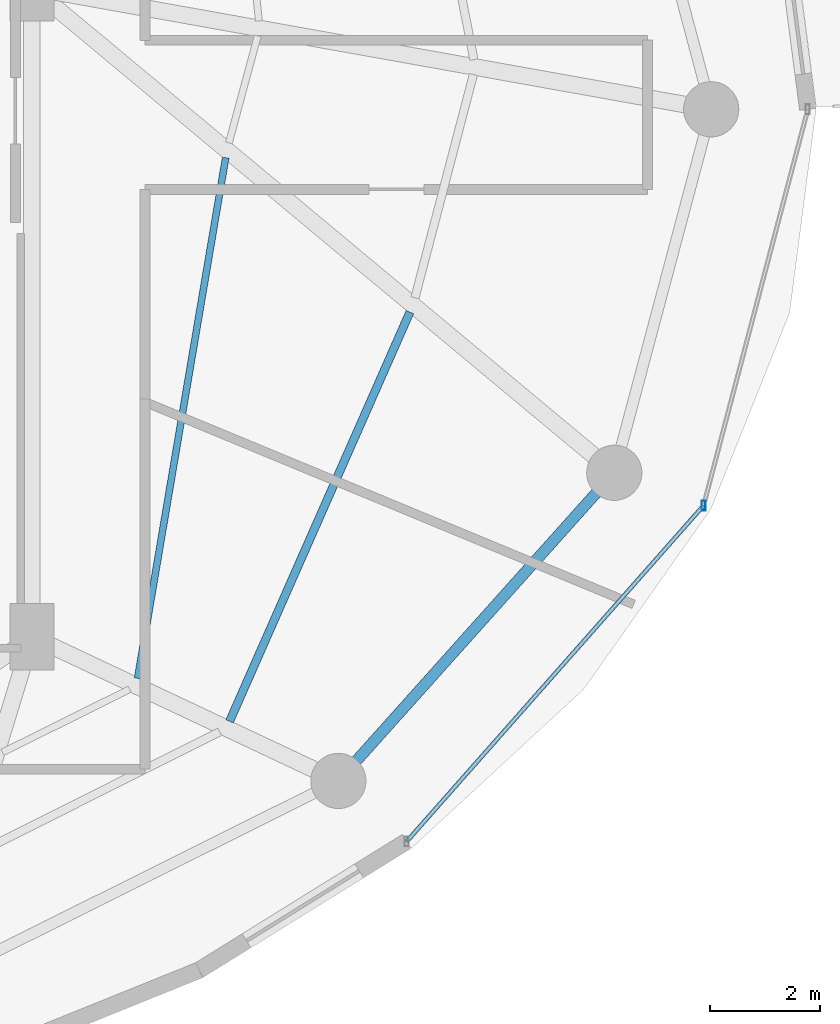
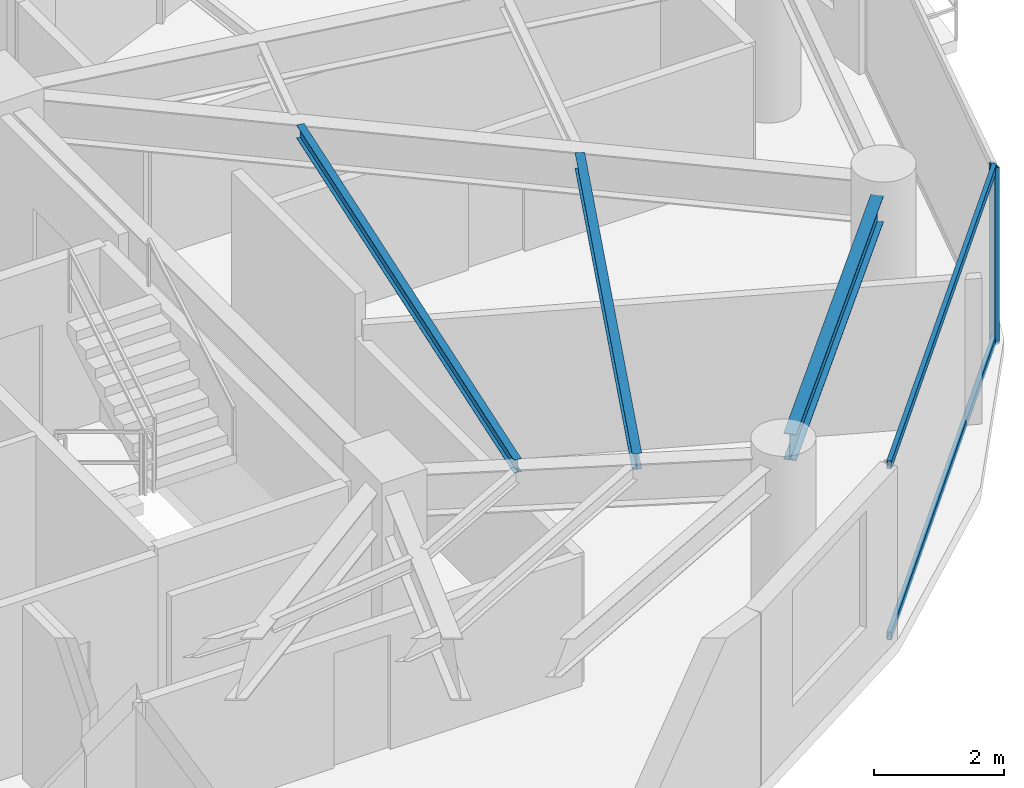
# One storey, part 11 of 28: 3 beams, 3 members, 1 element without a shape of its own.
"""IFC4 building model written with IfcOpenShell, lengths in metres."""

from ifc_helpers import new_model, si_unit, direction, frame, origin, origin_2d, place, context, subcontext, project, spatial, hollow_rectangle, i_section, extrude, material, material_profile, profile_set, type_object, element, aggregate, save


model = new_model("IFC4")

# Units and contexts
model_context = context("Model", 3, precision=1e-05, world=origin(), true_north=direction((0.0, 1.0)))
body_context = subcontext(model_context, "Body", "Model", "MODEL_VIEW")
ifc_project = project(units=[si_unit("LENGTHUNIT", "METRE"), si_unit("AREAUNIT", "SQUARE_METRE"), si_unit("VOLUMEUNIT", "CUBIC_METRE"), si_unit("PLANEANGLEUNIT", "RADIAN"), si_unit("MASSUNIT", "GRAM", prefix="KILO")], contexts=[model_context])

# Site, building, storey
site_placement = place(None, origin())
site = spatial("IfcSite", under=ifc_project, at=site_placement, CompositionType="ELEMENT")
building_placement = place(site_placement, origin())
building = spatial("IfcBuilding", under=site, at=building_placement, Name="Vorneva Point Tower", CompositionType="ELEMENT")
storey_placement = place(building_placement, frame((0.0, 0.0, 139.60009765625)))
storey = spatial("IfcBuildingStorey", under=building, at=storey_placement, Name="L37", CompositionType="ELEMENT", Elevation=139.60009765625)

# Beams
ifc_material_1 = material(Name="Steel S355", Category="steel")
ifc_material_profile_1 = material_profile(ifc_material_1, i_section(OverallWidth=0.1240234375, OverallDepth=0.248046875, WebThickness=0.0048828125, FlangeThickness=0.008056640625, at=origin_2d()), Name="25B1")
ifc_profile_set_1 = profile_set([ifc_material_profile_1], Name="Steel S355")
beam_type_1 = type_object("IfcBeamType", Name="BM-JST-25B1", PredefinedType="JOIST", material=ifc_profile_set_1)
beam_1_placement = place(storey_placement, frame((50.66455078125, 15.695556640625, 3.115966796875), z_axis=(0.166688356069, 0.98600963076, 0.0), x_axis=(-0.98600963076, 0.166688356069, 0.0)))
element("IfcBeam", 1, at=beam_1_placement, inside=storey, type_object=beam_type_1, Name="L37 Secondary Floor Beam 2.15", PredefinedType="JOIST", context=body_context, shape_type="SweptSolid", body=[
    extrude(i_section(OverallWidth=0.1240234375, OverallDepth=0.248046875, WebThickness=0.0048828125, FlangeThickness=0.008056640625, at=origin_2d()), origin(), (0.0, 0.0, 1.0), 9.561279296875),
])
ifc_material_profile_2 = material_profile(ifc_material_1, i_section(OverallWidth=0.14892578125, OverallDepth=0.298095703125, WebThickness=0.005615234375, FlangeThickness=0.008056640625, at=origin_2d()), Name="30B1")
ifc_profile_set_2 = profile_set([ifc_material_profile_2], Name="Steel S355")
beam_type_2 = type_object("IfcBeamType", Name="BM-JST-30B1", PredefinedType="JOIST", material=ifc_profile_set_2)
beam_2_placement = place(storey_placement, frame((52.3291015625, 14.91748046875, 3.0908203125), z_axis=(0.403294264682, 0.915070344878, 0.0), x_axis=(-0.915070344878, 0.403294264682, 0.0)))
element("IfcBeam", 2, at=beam_2_placement, inside=storey, type_object=beam_type_2, Name="L37 Secondary Floor Beam 1.15", PredefinedType="JOIST", context=body_context, shape_type="SweptSolid", body=[
    extrude(i_section(OverallWidth=0.14892578125, OverallDepth=0.298095703125, WebThickness=0.005615234375, FlangeThickness=0.008056640625, at=origin_2d()), origin(), (0.0, 0.0, 1.0), 8.097412109375),
])
ifc_material_profile_3 = material_profile(ifc_material_1, i_section(OverallWidth=0.199951171875, OverallDepth=0.491943359375, WebThickness=0.0087890625, FlangeThickness=0.011962890625, at=origin_2d()), Name="50B1")
ifc_profile_set_3 = profile_set([ifc_material_profile_3], Name="Steel S355")
beam_type_3 = type_object("IfcBeamType", Name="BM-SPN-50B1", PredefinedType="SPANDREL", material=ifc_profile_set_3)
beam_3_placement = place(storey_placement, frame((54.622314453125, 14.19921875, 2.993896484375), z_axis=(0.667111118975, 0.74495822362, 0.0), x_axis=(-0.74495822362, 0.667111118975, 0.0)))
element("IfcBeam", 3, at=beam_3_placement, inside=storey, type_object=beam_type_3, Name="L37 Perimeter Spandrel Ring Beam 15", PredefinedType="SPANDREL", context=body_context, shape_type="SweptSolid", body=[
    extrude(i_section(OverallWidth=0.199951171875, OverallDepth=0.491943359375, WebThickness=0.0087890625, FlangeThickness=0.011962890625, at=origin_2d()), origin(), (0.0, 0.0, 1.0), 6.52001953125),
])

# Curtain wall, members
ifc_material_2 = material(Name="Pale anodised aluminium", Category="aluminium")
curtain_wall_type = type_object("IfcCurtainWallType", Name="CW-RES-SYS", PredefinedType="NOTDEFINED", material=ifc_material_2)
curtain_wall_placement = place(storey_placement, origin())
curtain_wall = element("IfcCurtainWall", 4, at=curtain_wall_placement, inside=storey, type_object=curtain_wall_type, Name="L37 Unitised Curtain Wall CW-L37-R04", PredefinedType="NOTDEFINED")
ifc_material_profile_4 = material_profile(ifc_material_2, hollow_rectangle(XDim=0.074951171875, YDim=0.179931640625, WallThickness=0.00390625, at=origin_2d()), Name="AL-MUL 180x75x4")
ifc_profile_set_4 = profile_set([ifc_material_profile_4], Name="Pale anodised aluminium")
member_type_1 = type_object("IfcMemberType", Name="CW-MUL-180", PredefinedType="MULLION", material=ifc_profile_set_4)
member_1_placement = place(storey_placement, frame((60.912109375, 18.82470703125, -0.0400390625), z_axis=(0.0, 0.0, 1.0), x_axis=(1.0, 0.0, 0.0)))
member_1 = element("IfcMember", 5, at=member_1_placement, type_object=member_type_1, Name="CW-L37-R04 Mullion 02", PredefinedType="MULLION", context=body_context, shape_type="SweptSolid", body=[
    extrude(hollow_rectangle(XDim=0.074951171875, YDim=0.179931640625, WallThickness=0.00390625, at=origin_2d()), origin(), (0.0, 0.0, 1.0), 3.31005859375),
])
ifc_material_profile_5 = material_profile(ifc_material_2, hollow_rectangle(XDim=0.074951171875, YDim=0.14990234375, WallThickness=0.00390625, at=origin_2d()), Name="AL-TRN 150x75x4")
ifc_profile_set_5 = profile_set([ifc_material_profile_5], Name="Pale anodised aluminium")
member_type_2 = type_object("IfcMemberType", Name="CW-TRN-150", PredefinedType="USERDEFINED", material=ifc_profile_set_5)
member_2_placement = place(storey_placement, frame((55.5361328125, 12.74169921875, 0.02001953125), z_axis=(0.662218216609, 0.749311039283, 0.0), x_axis=(-0.749311039283, 0.662218216609, 0.0)))
member_2 = element("IfcMember", 6, at=member_2_placement, type_object=member_type_2, Name="CW-L37-R04 Transom 01.1", ObjectType="TRANSOM", PredefinedType="USERDEFINED", context=body_context, shape_type="SweptSolid", body=[
    extrude(hollow_rectangle(XDim=0.074951171875, YDim=0.14990234375, WallThickness=0.00390625, at=origin_2d()), origin(), (0.0, 0.0, 1.0), 8.1181640625),
])
member_3_placement = place(storey_placement, frame((55.5361328125, 12.74169921875, 3.219970703125), z_axis=(0.662218216609, 0.749311039283, 0.0), x_axis=(-0.749311039283, 0.662218216609, 0.0)))
member_3 = element("IfcMember", 7, at=member_3_placement, type_object=member_type_2, Name="CW-L37-R04 Transom 01.2", ObjectType="TRANSOM", PredefinedType="USERDEFINED", context=body_context, shape_type="SweptSolid", body=[
    extrude(hollow_rectangle(XDim=0.074951171875, YDim=0.14990234375, WallThickness=0.00390625, at=origin_2d()), origin(), (0.0, 0.0, 1.0), 8.1181640625),
])
aggregate(curtain_wall, [member_1, member_2, member_3])

save(model, "model.ifc")
